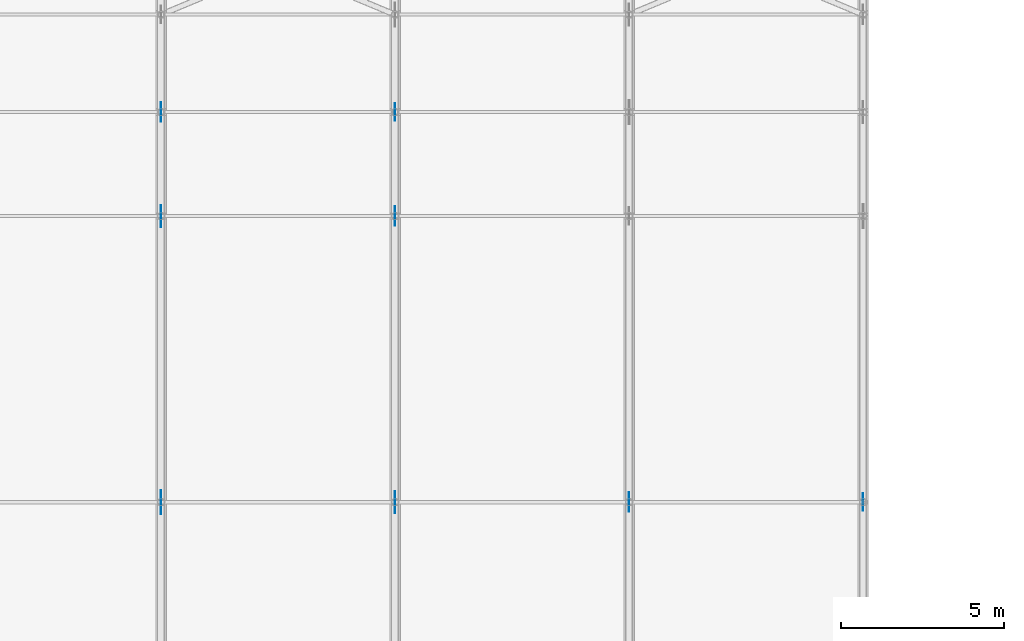
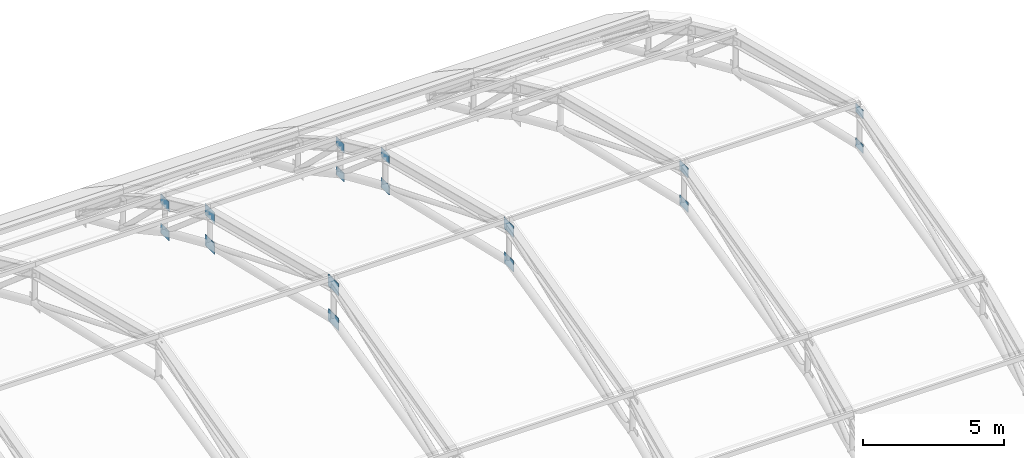
# One storey, part 48 of 63: 16 plates.
"""IFC4 building model written with IfcOpenShell, lengths in metres."""

from ifc_helpers import new_model, si_unit, direction, frame, origin, origin_2d, place, context, subcontext, project, spatial, rectangle, extrude, material, layer, layer_set, type_object, element, save


model = new_model("IFC4")

# Units and contexts
model_context = context("Model", 3, precision=1e-05, world=origin(), true_north=direction((0.0, 1.0)))
body_context = subcontext(model_context, "Body", "Model", "MODEL_VIEW")
ifc_project = project(units=[si_unit("LENGTHUNIT", "METRE"), si_unit("AREAUNIT", "SQUARE_METRE"), si_unit("VOLUMEUNIT", "CUBIC_METRE"), si_unit("PLANEANGLEUNIT", "RADIAN"), si_unit("MASSUNIT", "GRAM", prefix="KILO")], contexts=[model_context])

# Site, building, storey
site_placement = place(None, origin())
site = spatial("IfcSite", under=ifc_project, at=site_placement, CompositionType="ELEMENT")
building_placement = place(site_placement, origin())
building = spatial("IfcBuilding", under=site, at=building_placement, Name="Solvadek Multi-Sports Hall", CompositionType="ELEMENT")
storey_placement = place(building_placement, frame((0.0, 0.0, 19.199951171875)))
storey = spatial("IfcBuildingStorey", under=building, at=storey_placement, Name="RF", CompositionType="ELEMENT", Elevation=19.199951171875)

# Plates
ifc_material = material(Name="Steel E350 (350 MPa)", Category="steel")
ifc_layer_1 = layer(ifc_material, 0.02197265625, Name="Steel E350 (350 MPa)")
ifc_layer_set_1 = layer_set([ifc_layer_1], Name="Steel E350 (350 MPa)")
plate_type_1 = type_object("IfcPlateType", Name="STR-PLT-GUS540", PredefinedType="USERDEFINED", material=ifc_layer_set_1)
for number, where, z_axis, x_axis, name in (
    (1, (122.39990234375, 36.0, -0.039794921875), (0.0, 0.0, 1.0), (0.0, 1.0, 0.0), "V1 Truss Top Gusset Plate #103"),
    (2, (122.39990234375, 36.0, -1.306640625), (0.0, 0.0, 1.0), (0.0, 1.0, 0.0), "V1 Truss Bottom Gusset Plate #104"),
    (3, (136.800048828125, 24.0, 3.66015625), (0.0, 0.0, 1.0), (0.0, 1.0, 0.0), "V1 Truss Top Gusset Plate #135"),
    (4, (136.800048828125, 24.0, 2.16015625), (0.0, 0.0, 1.0), (0.0, 1.0, 0.0), "V1 Truss Bottom Gusset Plate #136"),
):
    element("IfcPlate", number, at=place(storey_placement, frame(where, z_axis=z_axis, x_axis=x_axis)), inside=storey, type_object=plate_type_1, Name=name, ObjectType="GUSSET_PLATE", PredefinedType="USERDEFINED", context=body_context, shape_type="SweptSolid", body=[
        extrude(rectangle(XDim=0.5400390625, YDim=0.02197265625, at=origin_2d()), origin(), (0.0, 0.0, 1.0), 0.3798828125),
    ])
ifc_layer_2 = layer(ifc_material, 0.02392578125, Name="Steel E350 (350 MPa)")
ifc_layer_set_2 = layer_set([ifc_layer_2], Name="Steel E350 (350 MPa)")
plate_type_2 = type_object("IfcPlateType", Name="STR-PLT-GUS600", PredefinedType="USERDEFINED", material=ifc_layer_set_2)
for number, where, z_axis, x_axis, name in (
    (5, (115.199951171875, 36.0, -0.059814453125), (0.0, 0.0, 1.0), (0.0, 1.0, 0.0), "V1 Truss Top Gusset Plate #85"),
    (6, (115.199951171875, 36.0, -1.32666015625), (0.0, 0.0, 1.0), (0.0, 1.0, 0.0), "V1 Truss Bottom Gusset Plate #86"),
    (7, (122.39990234375, 32.800048828125, 1.4091796875), (0.0, 0.0, 1.0), (0.0, 1.0, 0.0), "V1 Truss Top Gusset Plate #101"),
    (8, (122.39990234375, 32.800048828125, 0.080078125), (0.0, 0.0, 1.0), (0.0, 1.0, 0.0), "V1 Truss Bottom Gusset Plate #102"),
    (9, (129.60009765625, 24.0, 3.64013671875), (0.0, 0.0, 1.0), (0.0, 1.0, 0.0), "V1 Truss Top Gusset Plate #117"),
    (10, (129.60009765625, 24.0, 2.14013671875), (0.0, 0.0, 1.0), (0.0, 1.0, 0.0), "V1 Truss Bottom Gusset Plate #118"),
):
    element("IfcPlate", number, at=place(storey_placement, frame(where, z_axis=z_axis, x_axis=x_axis)), inside=storey, type_object=plate_type_2, Name=name, ObjectType="GUSSET_PLATE", PredefinedType="USERDEFINED", context=body_context, shape_type="SweptSolid", body=[
        extrude(rectangle(XDim=0.60009765625, YDim=0.02392578125, at=origin_2d()), origin(), (0.0, 0.0, 1.0), 0.419921875),
    ])
ifc_layer_3 = layer(ifc_material, 0.02587890625, Name="Steel E350 (350 MPa)")
ifc_layer_set_3 = layer_set([ifc_layer_3], Name="Steel E350 (350 MPa)")
plate_type_3 = type_object("IfcPlateType", Name="STR-PLT-GUS680", PredefinedType="USERDEFINED", material=ifc_layer_set_3)
for number, where, z_axis, x_axis, name in (
    (11, (115.199951171875, 32.800048828125, 1.379150390625), (0.0, 0.0, 1.0), (0.0, 1.0, 0.0), "V1 Truss Top Gusset Plate #83"),
    (12, (115.199951171875, 32.800048828125, 0.050048828125), (0.0, 0.0, 1.0), (0.0, 1.0, 0.0), "V1 Truss Bottom Gusset Plate #84"),
    (13, (122.39990234375, 24.0, 3.610107421875), (0.0, 0.0, 1.0), (0.0, 1.0, 0.0), "V1 Truss Top Gusset Plate #99"),
    (14, (122.39990234375, 24.0, 2.110107421875), (0.0, 0.0, 1.0), (0.0, 1.0, 0.0), "V1 Truss Bottom Gusset Plate #100"),
):
    element("IfcPlate", number, at=place(storey_placement, frame(where, z_axis=z_axis, x_axis=x_axis)), inside=storey, type_object=plate_type_3, Name=name, ObjectType="GUSSET_PLATE", PredefinedType="USERDEFINED", context=body_context, shape_type="SweptSolid", body=[
        extrude(rectangle(XDim=0.679931640625, YDim=0.02587890625, at=origin_2d()), origin(), (0.0, 0.0, 1.0), 0.47998046875),
    ])
ifc_layer_4 = layer(ifc_material, 0.028076171875, Name="Steel E350 (350 MPa)")
ifc_layer_set_4 = layer_set([ifc_layer_4], Name="Steel E350 (350 MPa)")
plate_type_4 = type_object("IfcPlateType", Name="STR-PLT-GUS740", PredefinedType="USERDEFINED", material=ifc_layer_set_4)
for number, where, z_axis, x_axis, name in (
    (15, (115.199951171875, 24.0, 3.590087890625), (0.0, 0.0, 1.0), (0.0, 1.0, 0.0), "V1 Truss Top Gusset Plate #81"),
    (16, (115.199951171875, 24.0, 2.090087890625), (0.0, 0.0, 1.0), (0.0, 1.0, 0.0), "V1 Truss Bottom Gusset Plate #82"),
):
    element("IfcPlate", number, at=place(storey_placement, frame(where, z_axis=z_axis, x_axis=x_axis)), inside=storey, type_object=plate_type_4, Name=name, ObjectType="GUSSET_PLATE", PredefinedType="USERDEFINED", context=body_context, shape_type="SweptSolid", body=[
        extrude(rectangle(XDim=0.739990234375, YDim=0.028076171875, at=origin_2d()), origin(), (0.0, 0.0, 1.0), 0.52001953125),
    ])

save(model, "model.ifc")
